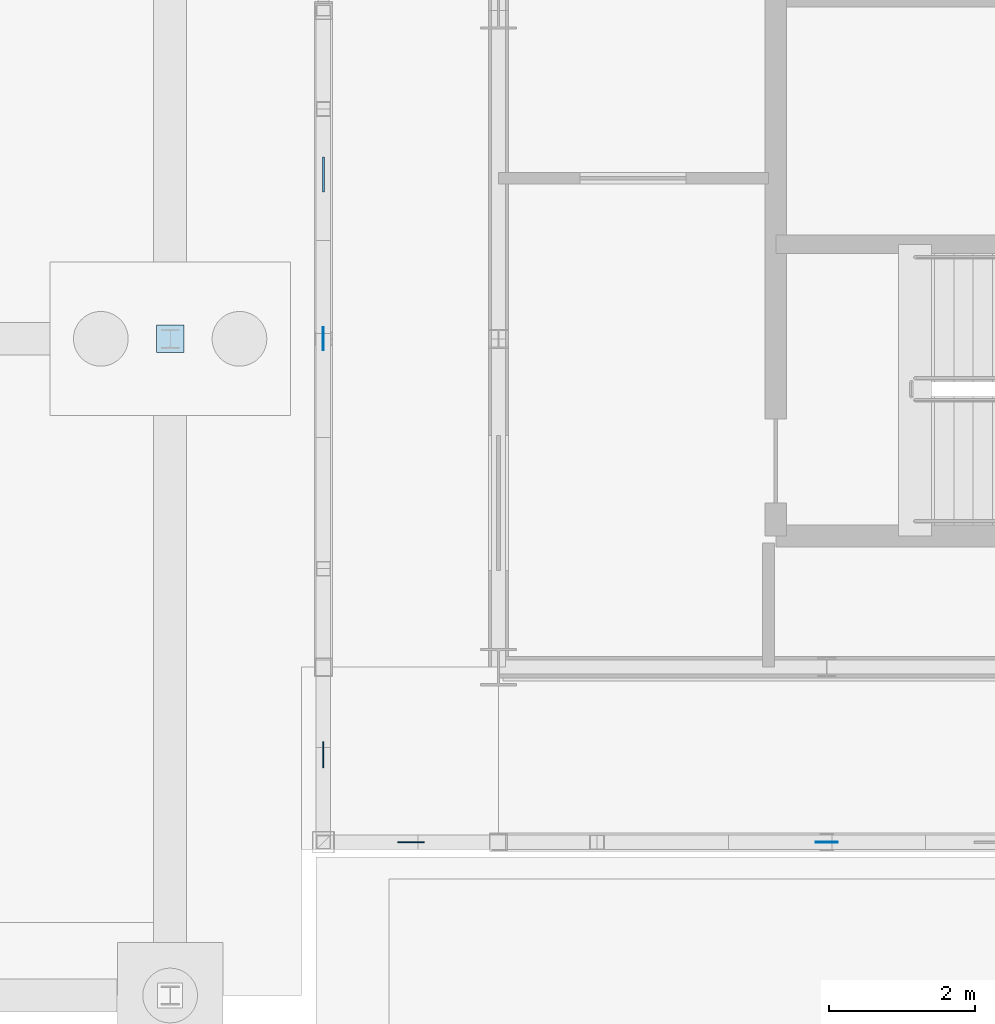
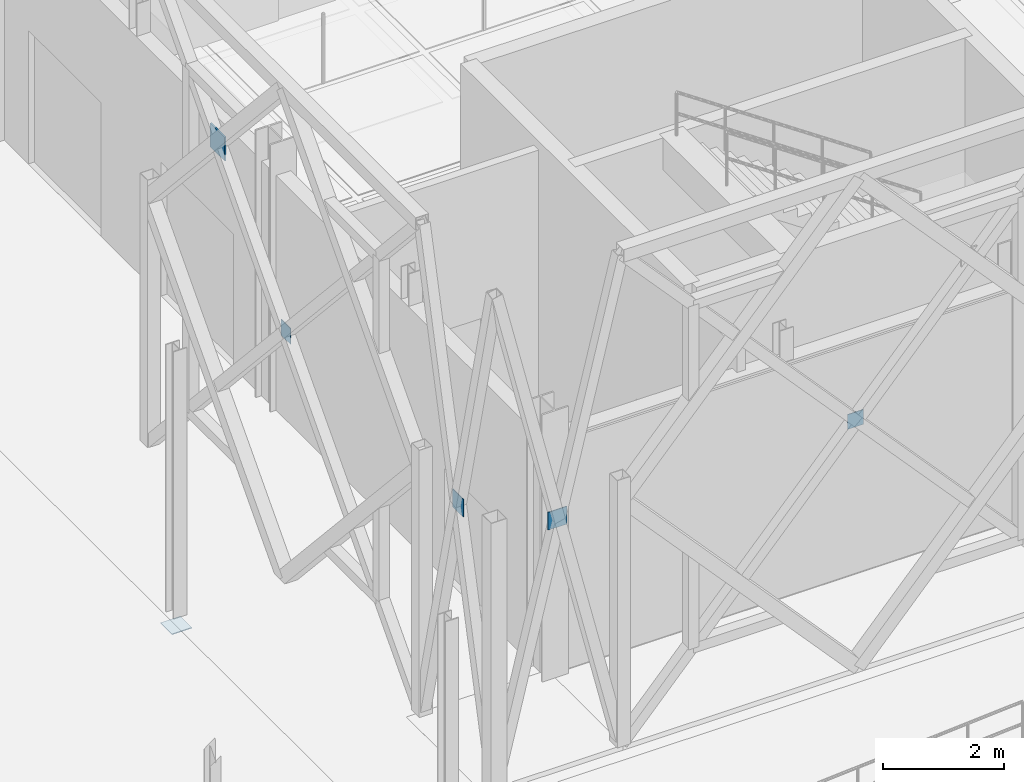
# One storey, part 77 of 180: 6 plates.
"""IFC4 building model written with IfcOpenShell, lengths in metres."""

from ifc_helpers import new_model, si_unit, direction, frame, origin, origin_2d, place, context, subcontext, project, spatial, rectangle, extrude, material, layer, layer_set, type_object, element, save


model = new_model("IFC4")

# Units and contexts
model_context = context("Model", 3, precision=1e-05, world=origin(), true_north=direction((0.0, 1.0)))
body_context = subcontext(model_context, "Body", "Model", "MODEL_VIEW")
ifc_project = project(units=[si_unit("LENGTHUNIT", "METRE"), si_unit("AREAUNIT", "SQUARE_METRE"), si_unit("VOLUMEUNIT", "CUBIC_METRE"), si_unit("PLANEANGLEUNIT", "RADIAN"), si_unit("MASSUNIT", "GRAM", prefix="KILO"), si_unit("THERMODYNAMICTEMPERATUREUNIT", "KELVIN"), si_unit("POWERUNIT", "WATT")], contexts=[model_context])

# Site, building, storey
site_placement = place(None, origin())
site = spatial("IfcSite", under=ifc_project, at=site_placement, CompositionType="ELEMENT")
building_placement = place(site_placement, origin())
building = spatial("IfcBuilding", under=site, at=building_placement, Name="Tallowbark Science Centre", CompositionType="ELEMENT")
storey_placement = place(building_placement, origin())
storey = spatial("IfcBuildingStorey", under=building, at=storey_placement, Name="L00", CompositionType="ELEMENT", Elevation=0.0)

# Plates
ifc_material = material(Name="Structural Steel Grade 300PLUS (300 MPa)", Category="steel")
ifc_layer_1 = layer(ifc_material, 0.010009765625)
ifc_layer_set_1 = layer_set([ifc_layer_1], Name="Structural Steel Grade 300PLUS (300 MPa)")
plate_type_1 = type_object("IfcPlateType", Name="PLT-GUS-10", PredefinedType="SHEET", material=ifc_layer_set_1)
plate_1_placement = place(storey_placement, frame((63.0, 2.10009765625, 4.7998046875), z_axis=(0.0, 0.0, 1.0), x_axis=(1.0, 0.0, 0.0)))
element("IfcPlate", 1, at=plate_1_placement, inside=storey, type_object=plate_type_1, Name="Star X-Brace Crossing Gusset Plate S-1", PredefinedType="SHEET", context=body_context, shape_type="SweptSolid", body=[
    extrude(rectangle(XDim=0.300048828125, YDim=0.010009765625, at=origin_2d()), origin(), (0.0, 0.0, 1.0), 0.300048828125),
])
ifc_layer_2 = layer(ifc_material, 0.011962890625)
ifc_layer_set_2 = layer_set([ifc_layer_2], Name="Structural Steel Grade 300PLUS (300 MPa)")
plate_type_2 = type_object("IfcPlateType", Name="PLT-GUS-12", PredefinedType="SHEET", material=ifc_layer_set_2)
plate_2_placement = place(storey_placement, frame((56.10009765625, 9.0, 4.7900390625), z_axis=(0.0, 0.0, 1.0), x_axis=(0.0, 1.0, 0.0)))
element("IfcPlate", 2, at=plate_2_placement, inside=storey, type_object=plate_type_2, Name="Star X-Brace Crossing Gusset Plate W-10", PredefinedType="SHEET", context=body_context, shape_type="SweptSolid", body=[
    extrude(rectangle(XDim=0.320068359375, YDim=0.011962890625, at=origin_2d()), origin(), (0.0, 0.0, 1.0), 0.320068359375),
])
ifc_layer_3 = layer(ifc_material, 0.01611328125)
ifc_layer_set_3 = layer_set([ifc_layer_3], Name="Structural Steel Grade 300PLUS (300 MPa)")
plate_type_3 = type_object("IfcPlateType", Name="PLT-GUS-16", PredefinedType="SHEET", material=ifc_layer_set_3)
for number, where, z_axis, x_axis, name in (
    (3, (57.300048828125, 2.10009765625, 4.77001953125), (0.0, 0.0, 1.0), (1.0, 0.0, 0.0), "Star Screen Corner X-Brace Gusset SWX-L00"),
    (4, (56.10009765625, 3.300048828125, 4.77001953125), (0.0, 0.0, 1.0), (0.0, 1.0, 0.0), "Star Screen Corner X-Brace Gusset SWY-L00"),
):
    element("IfcPlate", number, at=place(storey_placement, frame(where, z_axis=z_axis, x_axis=x_axis)), inside=storey, type_object=plate_type_3, Name=name, PredefinedType="SHEET", context=body_context, shape_type="SweptSolid", body=[
        extrude(rectangle(XDim=0.360107421875, YDim=0.01611328125, at=origin_2d()), origin(), (0.0, 0.0, 1.0), 0.360107421875),
    ])
ifc_layer_4 = layer(ifc_material, 0.01806640625)
ifc_layer_set_4 = layer_set([ifc_layer_4], Name="Structural Steel Grade 300PLUS (300 MPa)")
plate_type_4 = type_object("IfcPlateType", Name="PLT-GUS-18", PredefinedType="SHEET", material=ifc_layer_set_4)
plate_3_placement = place(storey_placement, frame((54.0, 9.0, -0.260009765625), z_axis=(0.0, 0.0, 1.0), x_axis=(1.0, 0.0, 0.0)))
element("IfcPlate", 5, at=plate_3_placement, inside=storey, type_object=plate_type_4, Name="Column Baseplate PAS-E01", PredefinedType="SHEET", context=body_context, shape_type="SweptSolid", body=[
    extrude(rectangle(XDim=0.3798828125, YDim=0.3798828125, at=origin_2d()), origin(), (0.0, 0.0, 1.0), 0.01806640625),
])
ifc_layer_5 = layer(ifc_material, 0.028076171875)
ifc_layer_set_5 = layer_set([ifc_layer_5], Name="Structural Steel Grade 300PLUS (300 MPa)")
plate_type_5 = type_object("IfcPlateType", Name="PLT-GUS-28", PredefinedType="SHEET", material=ifc_layer_set_5)
plate_4_placement = place(storey_placement, frame((56.10009765625, 11.25, 7.18505859375), z_axis=(0.0, 0.0, 1.0), x_axis=(0.0, 1.0, 0.0)))
element("IfcPlate", 6, at=plate_4_placement, inside=storey, type_object=plate_type_5, Name="Star Primary Chord Crossing Gusset Plate W-10", PredefinedType="SHEET", context=body_context, shape_type="SweptSolid", body=[
    extrude(rectangle(XDim=0.47998046875, YDim=0.028076171875, at=origin_2d()), origin(), (0.0, 0.0, 1.0), 0.47998046875),
])

save(model, "model.ifc")
